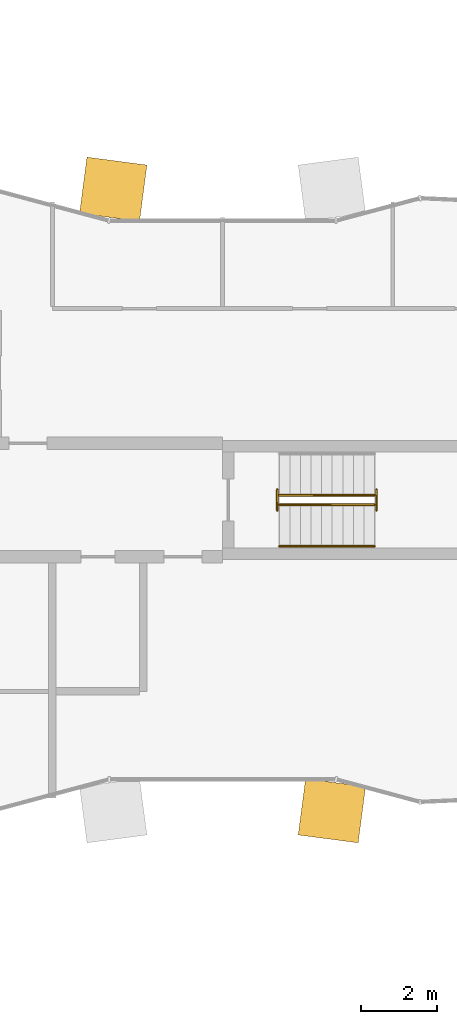
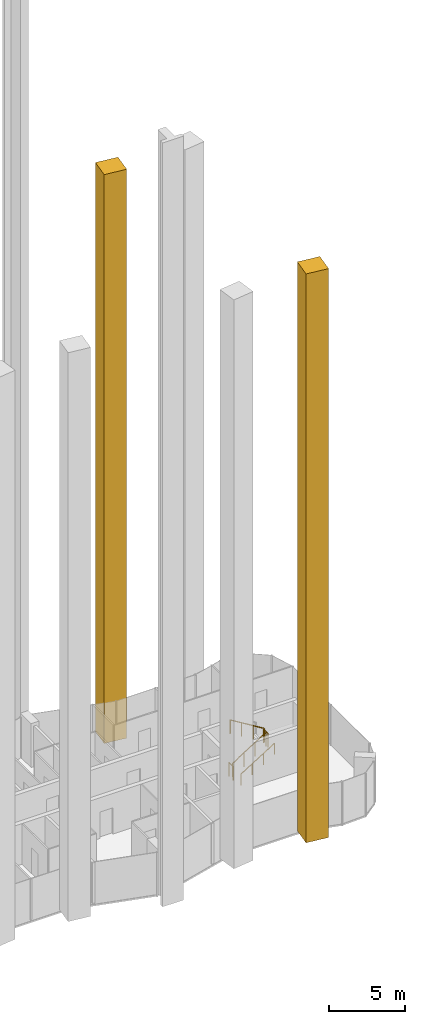
# One storey, part 24 of 27: 5 railings, 2 coverings.
"""IFC4 building model written with IfcOpenShell, lengths in metres."""

from ifc_helpers import new_model, si_unit, direction, frame, origin, origin_2d, place, context, subcontext, project, spatial, polyline, circle, outline, extrude, material, type_object, element, save


model = new_model("IFC4")

# Units and contexts
model_context = context("Model", 3, precision=1e-05, world=origin(), true_north=direction((0.0, 1.0)))
body_context = subcontext(model_context, "Body", "Model", "MODEL_VIEW")
ifc_project = project(units=[si_unit("LENGTHUNIT", "METRE"), si_unit("AREAUNIT", "SQUARE_METRE"), si_unit("VOLUMEUNIT", "CUBIC_METRE"), si_unit("PLANEANGLEUNIT", "RADIAN"), si_unit("MASSUNIT", "GRAM", prefix="KILO")], contexts=[model_context])

# Site, building, storey
site_placement = place(None, origin())
site = spatial("IfcSite", under=ifc_project, at=site_placement, CompositionType="ELEMENT")
building_placement = place(site_placement, origin())
building = spatial("IfcBuilding", under=site, at=building_placement, Name="Plateau Cross Towers", CompositionType="ELEMENT")
storey_placement = place(building_placement, frame((0.0, 0.0, 78.300048828125)))
storey = spatial("IfcBuildingStorey", under=building, at=storey_placement, Name="L19", CompositionType="ELEMENT", Elevation=78.300048828125)

# Coverings
ifc_material_1 = material(Name="Light precast concrete cladding C40/50", Category="concrete")
covering_type = type_object("IfcCoveringType", Name="Flute pier cladding 1600x1500", PredefinedType="CLADDING", material=ifc_material_1)
covering_1_placement = place(storey_placement, origin())
element("IfcCovering", 1, at=covering_1_placement, inside=storey, type_object=covering_type, Name="Flute pier", PredefinedType="CLADDING", context=body_context, shape_type="SweptSolid", body=[
    extrude(outline(polyline([(42.80419921875, 16.37158203125), (41.2177734375, 16.580322265625), (41.41357421875, 18.067626953125), (42.999755859375, 17.85888671875), (42.80419921875, 16.37158203125)])), origin(), (0.0, 0.0, 1.0), 45.5),
])
covering_2_placement = place(storey_placement, origin())
element("IfcCovering", 2, at=covering_2_placement, inside=storey, type_object=covering_type, Name="Flute pier", PredefinedType="CLADDING", context=body_context, shape_type="SweptSolid", body=[
    extrude(outline(polyline([(47.19580078125, 1.62841796875), (48.7822265625, 1.419677734375), (48.58642578125, -0.067626953125), (47.000244140625, 0.14111328125), (47.19580078125, 1.62841796875)])), origin(), (0.0, 0.0, 1.0), 45.5),
])

# Railings
ifc_material_2 = material(Name="Stainless steel and toughened glass", Category="steel")
railing_type_1 = type_object("IfcRailingType", Name="RL-GUARD-1100", PredefinedType="GUARDRAIL", material=ifc_material_2)
railing_1_placement = place(storey_placement, frame((46.5, 8.875, 0.175048828125)))
element("IfcRailing", 3, at=railing_1_placement, inside=storey, type_object=railing_type_1, Name="L19 ES-E stair guard 1", PredefinedType="GUARDRAIL", context=body_context, shape_type="SweptSolid", body=[
    extrude(circle(Radius=0.02392578125, at=origin_2d()), frame((0.0, 0.0, 1.076171875), z_axis=(0.848007534815, 0.0, 0.529984170421), x_axis=(0.0, 1.0, 0.0)), (0.0, 0.0, 1.0), 2.9716796875),
    extrude(circle(Radius=0.02099609375, at=origin_2d()), origin(), (0.0, 0.0, 1.0), 1.052001953125),
    extrude(circle(Radius=0.02099609375, at=origin_2d()), frame((0.840087890625, 0.0, 0.52490234375)), (0.0, 0.0, 1.0), 1.052001953125),
    extrude(circle(Radius=0.02099609375, at=origin_2d()), frame((1.679931640625, 0.0, 1.050048828125)), (0.0, 0.0, 1.0), 1.052001953125),
    extrude(circle(Radius=0.02099609375, at=origin_2d()), frame((2.52001953125, 0.0, 1.574951171875)), (0.0, 0.0, 1.0), 1.052001953125),
])
railing_2_placement = place(storey_placement, frame((49.070068359375, 8.72509765625, 1.75)))
element("IfcRailing", 4, at=railing_2_placement, inside=storey, type_object=railing_type_1, Name="L19 ES-E stair guard 2", PredefinedType="GUARDRAIL", context=body_context, shape_type="SweptSolid", body=[
    extrude(circle(Radius=0.02392578125, at=origin_2d()), frame((0.0, 0.0, 1.076171875), z_axis=(0.0, 1.0, 0.0), x_axis=(-1.0, 0.0, 0.0)), (0.0, 0.0, 1.0), 0.5498046875),
    extrude(circle(Radius=0.02099609375, at=origin_2d()), origin(), (0.0, 0.0, 1.0), 1.052001953125),
    extrude(circle(Radius=0.02099609375, at=origin_2d()), frame((0.0, 0.5498046875, 0.0)), (0.0, 0.0, 1.0), 1.052001953125),
])
railing_3_placement = place(storey_placement, frame((49.02001953125, 9.125, 1.925048828125)))
element("IfcRailing", 5, at=railing_3_placement, inside=storey, type_object=railing_type_1, Name="L19 ES-E stair guard 3", PredefinedType="GUARDRAIL", context=body_context, shape_type="SweptSolid", body=[
    extrude(circle(Radius=0.02392578125, at=origin_2d()), frame((0.0, 0.0, 1.076171875), z_axis=(-0.852638500773, 0.0, 0.522501279423), x_axis=(0.0, -1.0, 0.0)), (0.0, 0.0, 1.0), 3.01416015625),
    extrude(circle(Radius=0.02099609375, at=origin_2d()), origin(), (0.0, 0.0, 1.0), 1.052001953125),
    extrude(circle(Radius=0.02099609375, at=origin_2d()), frame((-0.856689453125, 0.0, 0.52490234375)), (0.0, 0.0, 1.0), 1.052001953125),
    extrude(circle(Radius=0.02099609375, at=origin_2d()), frame((-1.71337890625, 0.0, 1.050048828125)), (0.0, 0.0, 1.0), 1.052001953125),
    extrude(circle(Radius=0.02099609375, at=origin_2d()), frame((-2.570068359375, 0.0, 1.574951171875)), (0.0, 0.0, 1.0), 1.052001953125),
])
railing_4_placement = place(storey_placement, frame((46.449951171875, 8.72509765625, 0.0)))
element("IfcRailing", 6, at=railing_4_placement, inside=storey, type_object=railing_type_1, Name="L19 ES-E stair guard 4", PredefinedType="GUARDRAIL", context=body_context, shape_type="SweptSolid", body=[
    extrude(circle(Radius=0.02392578125, at=origin_2d()), frame((0.0, 0.0, 1.076171875), z_axis=(0.0, 1.0, 0.0), x_axis=(-1.0, 0.0, 0.0)), (0.0, 0.0, 1.0), 0.5498046875),
    extrude(circle(Radius=0.02099609375, at=origin_2d()), origin(), (0.0, 0.0, 1.0), 1.052001953125),
    extrude(circle(Radius=0.02099609375, at=origin_2d()), frame((0.0, 0.5498046875, 0.0)), (0.0, 0.0, 1.0), 1.052001953125),
])
ifc_material_3 = material(Name="Black anodised aluminium", Category="aluminium")
railing_type_2 = type_object("IfcRailingType", Name="RL-HANDRAIL-900", PredefinedType="HANDRAIL", material=ifc_material_3)
railing_5_placement = place(storey_placement, frame((46.5, 7.77490234375, 0.175048828125)))
element("IfcRailing", 7, at=railing_5_placement, inside=storey, type_object=railing_type_2, Name="L19 ES-E stair handrail 1", PredefinedType="HANDRAIL", context=body_context, shape_type="SweptSolid", body=[
    extrude(circle(Radius=0.02392578125, at=origin_2d()), frame((0.0, 0.0, 0.8759765625), z_axis=(0.848007534815, 0.0, 0.529984170421), x_axis=(0.0, 1.0, 0.0)), (0.0, 0.0, 1.0), 2.9716796875),
    extrude(circle(Radius=0.02099609375, at=origin_2d()), origin(), (0.0, 0.0, 1.0), 0.851806640625),
    extrude(circle(Radius=0.02099609375, at=origin_2d()), frame((0.840087890625, 0.0, 0.52490234375)), (0.0, 0.0, 1.0), 0.851806640625),
    extrude(circle(Radius=0.02099609375, at=origin_2d()), frame((1.679931640625, 0.0, 1.050048828125)), (0.0, 0.0, 1.0), 0.851806640625),
    extrude(circle(Radius=0.02099609375, at=origin_2d()), frame((2.52001953125, 0.0, 1.574951171875)), (0.0, 0.0, 1.0), 0.851806640625),
])

save(model, "model.ifc")
